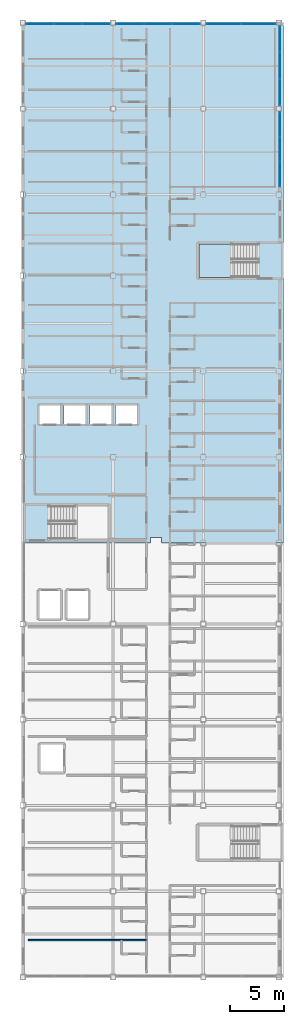
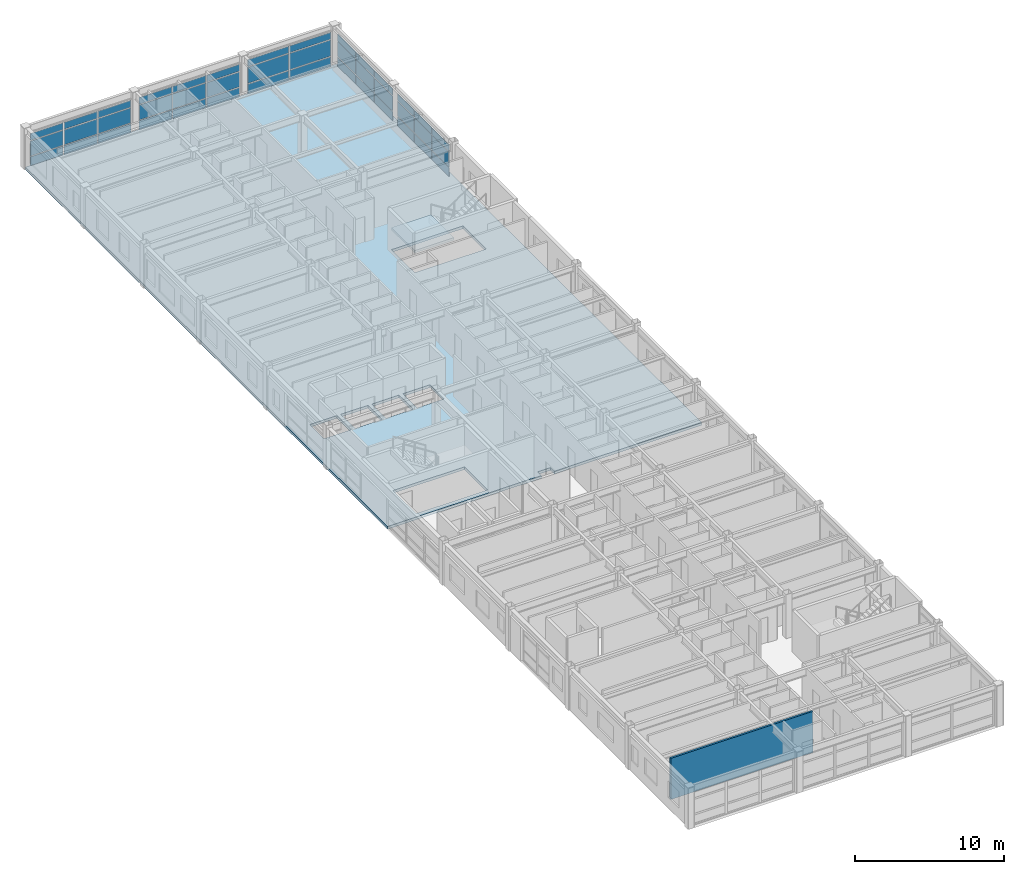
# One storey, part 22 of 33: 42 plates, 2 slabs, 1 wall, 6 elements without a shape of their own.
"""IFC4 building model written with IfcOpenShell, lengths in metres."""

from ifc_helpers import new_model, si_unit, direction, frame, frame_2d, origin, origin_2d, place, context, subcontext, project, spatial, polyline, rectangle, outline, extrude, material, layer, layer_set, type_object, element, aggregate, save


model = new_model("IFC4")

# Units and contexts
model_context = context("Model", 3, precision=1e-05, world=origin(), true_north=direction((0.0, 1.0)))
body_context = subcontext(model_context, "Body", "Model", "MODEL_VIEW")
ifc_project = project(units=[si_unit("LENGTHUNIT", "METRE"), si_unit("AREAUNIT", "SQUARE_METRE"), si_unit("VOLUMEUNIT", "CUBIC_METRE"), si_unit("PLANEANGLEUNIT", "RADIAN"), si_unit("MASSUNIT", "GRAM", prefix="KILO")], contexts=[model_context])

# Site, building, storey
site_placement = place(None, origin())
site = spatial("IfcSite", under=ifc_project, at=site_placement, CompositionType="ELEMENT")
building_placement = place(site_placement, origin())
building = spatial("IfcBuilding", under=site, at=building_placement, Name="Kazehara Bluff Congress Hotel", CompositionType="ELEMENT")
storey_placement = place(building_placement, frame((0.0, 0.0, 39.0)))
storey = spatial("IfcBuildingStorey", under=building, at=storey_placement, Name="L09", CompositionType="ELEMENT", Elevation=39.0)

# Curtain wall, plates
ifc_material_1 = material(Name="Anodised aluminium", Category="aluminium")
ifc_layer_1 = layer(ifc_material_1, 0.159912109375)
ifc_layer_set_1 = layer_set([ifc_layer_1], Name="Anodised aluminium")
curtain_wall_type_1 = type_object("IfcCurtainWallType", Name="TP-CW-194", PredefinedType="NOTDEFINED", material=ifc_layer_set_1)
curtain_wall_1_placement = place(storey_placement, origin())
curtain_wall_1 = element("IfcCurtainWall", 1, at=curtain_wall_1_placement, inside=storey, type_object=curtain_wall_type_1, Name="L09 curtain wall CW-194 CW-ENC-V5-L09-16765-8512", PredefinedType="NOTDEFINED")
ifc_material_2 = material(Name="Insulated low-E double glazing", Category="glass")
ifc_layer_2 = layer(ifc_material_2, 0.028076171875)
ifc_layer_set_2 = layer_set([ifc_layer_2], Name="Insulated low-E double glazing")
plate_type = type_object("IfcPlateType", Name="TP-CWP-01", PredefinedType="CURTAIN_PANEL", material=ifc_layer_set_2)
plate_1_placement = place(storey_placement, frame((167.64990234375, 87.458740234375, 0.06494140625), z_axis=(0.0, 0.0, 1.0), x_axis=(0.0, -1.0, 0.0)))
plate_1 = element("IfcPlate", 2, at=plate_1_placement, type_object=plate_type, Name="CW-194 panel 1.1", PredefinedType="CURTAIN_PANEL", context=body_context, shape_type="SweptSolid", body=[
    extrude(rectangle(XDim=2.25244140625, YDim=0.028076171875, at=origin_2d()), origin(), (0.0, 0.0, 1.0), 0.7275390625),
])
plate_2_placement = place(storey_placement, frame((167.64990234375, 87.458740234375, 0.857421875), z_axis=(0.0, 0.0, 1.0), x_axis=(0.0, -1.0, 0.0)))
plate_2 = element("IfcPlate", 3, at=plate_2_placement, type_object=plate_type, Name="CW-194 panel 1.2", PredefinedType="CURTAIN_PANEL", context=body_context, shape_type="SweptSolid", body=[
    extrude(rectangle(XDim=2.25244140625, YDim=0.028076171875, at=origin_2d()), origin(), (0.0, 0.0, 1.0), 1.215087890625),
])
plate_3_placement = place(storey_placement, frame((167.64990234375, 87.458740234375, 2.1376953125), z_axis=(0.0, 0.0, 1.0), x_axis=(0.0, -1.0, 0.0)))
plate_3 = element("IfcPlate", 4, at=plate_3_placement, type_object=plate_type, Name="CW-194 panel 1.3", PredefinedType="CURTAIN_PANEL", context=body_context, shape_type="SweptSolid", body=[
    extrude(rectangle(XDim=2.25244140625, YDim=0.028076171875, at=origin_2d()), origin(), (0.0, 0.0, 1.0), 0.552490234375),
])
plate_4_placement = place(storey_placement, frame((167.64990234375, 85.125, 0.06494140625), z_axis=(0.0, 0.0, 1.0), x_axis=(0.0, -1.0, 0.0)))
plate_4 = element("IfcPlate", 5, at=plate_4_placement, type_object=plate_type, Name="CW-194 panel 2.1", PredefinedType="CURTAIN_PANEL", context=body_context, shape_type="SweptSolid", body=[
    extrude(rectangle(XDim=2.284912109375, YDim=0.028076171875, at=origin_2d()), origin(), (0.0, 0.0, 1.0), 0.7275390625),
])
plate_5_placement = place(storey_placement, frame((167.64990234375, 85.125, 0.857421875), z_axis=(0.0, 0.0, 1.0), x_axis=(0.0, -1.0, 0.0)))
plate_5 = element("IfcPlate", 6, at=plate_5_placement, type_object=plate_type, Name="CW-194 panel 2.2", PredefinedType="CURTAIN_PANEL", context=body_context, shape_type="SweptSolid", body=[
    extrude(rectangle(XDim=2.284912109375, YDim=0.028076171875, at=origin_2d()), origin(), (0.0, 0.0, 1.0), 1.215087890625),
])
plate_6_placement = place(storey_placement, frame((167.64990234375, 85.125, 2.1376953125), z_axis=(0.0, 0.0, 1.0), x_axis=(0.0, -1.0, 0.0)))
plate_6 = element("IfcPlate", 7, at=plate_6_placement, type_object=plate_type, Name="CW-194 panel 2.3", PredefinedType="CURTAIN_PANEL", context=body_context, shape_type="SweptSolid", body=[
    extrude(rectangle(XDim=2.284912109375, YDim=0.028076171875, at=origin_2d()), origin(), (0.0, 0.0, 1.0), 0.552490234375),
])
plate_7_placement = place(storey_placement, frame((167.64990234375, 82.791259765625, 0.06494140625), z_axis=(0.0, 0.0, 1.0), x_axis=(0.0, -1.0, 0.0)))
plate_7 = element("IfcPlate", 8, at=plate_7_placement, type_object=plate_type, Name="CW-194 panel 3.1", PredefinedType="CURTAIN_PANEL", context=body_context, shape_type="SweptSolid", body=[
    extrude(rectangle(XDim=2.25244140625, YDim=0.028076171875, at=origin_2d()), origin(), (0.0, 0.0, 1.0), 0.7275390625),
])
plate_8_placement = place(storey_placement, frame((167.64990234375, 82.791259765625, 0.857421875), z_axis=(0.0, 0.0, 1.0), x_axis=(0.0, -1.0, 0.0)))
plate_8 = element("IfcPlate", 9, at=plate_8_placement, type_object=plate_type, Name="CW-194 panel 3.2", PredefinedType="CURTAIN_PANEL", context=body_context, shape_type="SweptSolid", body=[
    extrude(rectangle(XDim=2.25244140625, YDim=0.028076171875, at=origin_2d()), origin(), (0.0, 0.0, 1.0), 1.215087890625),
])
plate_9_placement = place(storey_placement, frame((167.64990234375, 82.791259765625, 2.1376953125), z_axis=(0.0, 0.0, 1.0), x_axis=(0.0, -1.0, 0.0)))
plate_9 = element("IfcPlate", 10, at=plate_9_placement, type_object=plate_type, Name="CW-194 panel 3.3", PredefinedType="CURTAIN_PANEL", context=body_context, shape_type="SweptSolid", body=[
    extrude(rectangle(XDim=2.25244140625, YDim=0.028076171875, at=origin_2d()), origin(), (0.0, 0.0, 1.0), 0.552490234375),
])
aggregate(curtain_wall_1, [plate_1, plate_2, plate_3, plate_4, plate_5, plate_6, plate_7, plate_8, plate_9])

ifc_material_3 = material(Name="Anodised aluminium", Category="aluminium")
ifc_layer_3 = layer(ifc_material_3, 0.159912109375)
ifc_layer_set_3 = layer_set([ifc_layer_3], Name="Anodised aluminium")
curtain_wall_type_2 = type_object("IfcCurtainWallType", Name="TP-CW-195", PredefinedType="NOTDEFINED", material=ifc_layer_set_3)
curtain_wall_2_placement = place(storey_placement, origin())
curtain_wall_2 = element("IfcCurtainWall", 11, at=curtain_wall_2_placement, inside=storey, type_object=curtain_wall_type_2, Name="L09 curtain wall CW-195 CW-ENC-V5-L09-16765-9290", PredefinedType="NOTDEFINED")
plate_10_placement = place(storey_placement, frame((167.64990234375, 95.3837890625, 0.06494140625), z_axis=(0.0, 0.0, 1.0), x_axis=(0.0, -1.0, 0.0)))
plate_10 = element("IfcPlate", 12, at=plate_10_placement, type_object=plate_type, Name="CW-195 panel 1.1", PredefinedType="CURTAIN_PANEL", context=body_context, shape_type="SweptSolid", body=[
    extrude(rectangle(XDim=2.402587890625, YDim=0.028076171875, at=origin_2d()), origin(), (0.0, 0.0, 1.0), 0.7275390625),
])
plate_11_placement = place(storey_placement, frame((167.64990234375, 95.3837890625, 0.857421875), z_axis=(0.0, 0.0, 1.0), x_axis=(0.0, -1.0, 0.0)))
plate_11 = element("IfcPlate", 13, at=plate_11_placement, type_object=plate_type, Name="CW-195 panel 1.2", PredefinedType="CURTAIN_PANEL", context=body_context, shape_type="SweptSolid", body=[
    extrude(rectangle(XDim=2.402587890625, YDim=0.028076171875, at=origin_2d()), origin(), (0.0, 0.0, 1.0), 1.215087890625),
])
plate_12_placement = place(storey_placement, frame((167.64990234375, 95.3837890625, 2.1376953125), z_axis=(0.0, 0.0, 1.0), x_axis=(0.0, -1.0, 0.0)))
plate_12 = element("IfcPlate", 14, at=plate_12_placement, type_object=plate_type, Name="CW-195 panel 1.3", PredefinedType="CURTAIN_PANEL", context=body_context, shape_type="SweptSolid", body=[
    extrude(rectangle(XDim=2.402587890625, YDim=0.028076171875, at=origin_2d()), origin(), (0.0, 0.0, 1.0), 0.552490234375),
])
plate_13_placement = place(storey_placement, frame((167.64990234375, 92.89990234375, 0.06494140625), z_axis=(0.0, 0.0, 1.0), x_axis=(0.0, -1.0, 0.0)))
plate_13 = element("IfcPlate", 15, at=plate_13_placement, type_object=plate_type, Name="CW-195 panel 2.1", PredefinedType="CURTAIN_PANEL", context=body_context, shape_type="SweptSolid", body=[
    extrude(rectangle(XDim=2.43505859375, YDim=0.028076171875, at=origin_2d()), origin(), (0.0, 0.0, 1.0), 0.7275390625),
])
plate_14_placement = place(storey_placement, frame((167.64990234375, 92.89990234375, 0.857421875), z_axis=(0.0, 0.0, 1.0), x_axis=(0.0, -1.0, 0.0)))
plate_14 = element("IfcPlate", 16, at=plate_14_placement, type_object=plate_type, Name="CW-195 panel 2.2", PredefinedType="CURTAIN_PANEL", context=body_context, shape_type="SweptSolid", body=[
    extrude(rectangle(XDim=2.43505859375, YDim=0.028076171875, at=origin_2d()), origin(), (0.0, 0.0, 1.0), 1.215087890625),
])
plate_15_placement = place(storey_placement, frame((167.64990234375, 92.89990234375, 2.1376953125), z_axis=(0.0, 0.0, 1.0), x_axis=(0.0, -1.0, 0.0)))
plate_15 = element("IfcPlate", 17, at=plate_15_placement, type_object=plate_type, Name="CW-195 panel 2.3", PredefinedType="CURTAIN_PANEL", context=body_context, shape_type="SweptSolid", body=[
    extrude(rectangle(XDim=2.43505859375, YDim=0.028076171875, at=origin_2d()), origin(), (0.0, 0.0, 1.0), 0.552490234375),
])
plate_16_placement = place(storey_placement, frame((167.64990234375, 90.416259765625, 0.06494140625), z_axis=(0.0, 0.0, 1.0), x_axis=(0.0, -1.0, 0.0)))
plate_16 = element("IfcPlate", 18, at=plate_16_placement, type_object=plate_type, Name="CW-195 panel 3.1", PredefinedType="CURTAIN_PANEL", context=body_context, shape_type="SweptSolid", body=[
    extrude(rectangle(XDim=2.402587890625, YDim=0.028076171875, at=origin_2d()), origin(), (0.0, 0.0, 1.0), 0.7275390625),
])
plate_17_placement = place(storey_placement, frame((167.64990234375, 90.416259765625, 0.857421875), z_axis=(0.0, 0.0, 1.0), x_axis=(0.0, -1.0, 0.0)))
plate_17 = element("IfcPlate", 19, at=plate_17_placement, type_object=plate_type, Name="CW-195 panel 3.2", PredefinedType="CURTAIN_PANEL", context=body_context, shape_type="SweptSolid", body=[
    extrude(rectangle(XDim=2.402587890625, YDim=0.028076171875, at=origin_2d()), origin(), (0.0, 0.0, 1.0), 1.215087890625),
])
plate_18_placement = place(storey_placement, frame((167.64990234375, 90.416259765625, 2.1376953125), z_axis=(0.0, 0.0, 1.0), x_axis=(0.0, -1.0, 0.0)))
plate_18 = element("IfcPlate", 20, at=plate_18_placement, type_object=plate_type, Name="CW-195 panel 3.3", PredefinedType="CURTAIN_PANEL", context=body_context, shape_type="SweptSolid", body=[
    extrude(rectangle(XDim=2.402587890625, YDim=0.028076171875, at=origin_2d()), origin(), (0.0, 0.0, 1.0), 0.552490234375),
])
aggregate(curtain_wall_2, [plate_10, plate_11, plate_12, plate_13, plate_14, plate_15, plate_16, plate_17, plate_18])

ifc_material_4 = material(Name="Anodised aluminium", Category="aluminium")
ifc_layer_4 = layer(ifc_material_4, 0.159912109375)
ifc_layer_set_4 = layer_set([ifc_layer_4], Name="Anodised aluminium")
curtain_wall_type_3 = type_object("IfcCurtainWallType", Name="TP-CW-185", PredefinedType="NOTDEFINED", material=ifc_layer_set_4)
curtain_wall_3_placement = place(storey_placement, origin())
curtain_wall_3 = element("IfcCurtainWall", 21, at=curtain_wall_3_placement, inside=storey, type_object=curtain_wall_type_3, Name="L09 curtain wall CW-185 CW-ENC-V5-L09-14790-9680", PredefinedType="NOTDEFINED")
plate_19_placement = place(storey_placement, frame((145.282958984375, 96.800048828125, 0.06494140625), z_axis=(0.0, 0.0, 1.0), x_axis=(1.0, 0.0, 0.0)))
plate_19 = element("IfcPlate", 22, at=plate_19_placement, type_object=plate_type, Name="CW-185 panel 1.1", PredefinedType="CURTAIN_PANEL", context=body_context, shape_type="SweptSolid", body=[
    extrude(rectangle(XDim=2.535888671875, YDim=0.028076171875, at=origin_2d()), origin(), (0.0, 0.0, 1.0), 0.7275390625),
])
plate_20_placement = place(storey_placement, frame((145.282958984375, 96.800048828125, 0.857421875), z_axis=(0.0, 0.0, 1.0), x_axis=(1.0, 0.0, 0.0)))
plate_20 = element("IfcPlate", 23, at=plate_20_placement, type_object=plate_type, Name="CW-185 panel 1.2", PredefinedType="CURTAIN_PANEL", context=body_context, shape_type="SweptSolid", body=[
    extrude(rectangle(XDim=2.535888671875, YDim=0.028076171875, at=origin_2d()), origin(), (0.0, 0.0, 1.0), 1.215087890625),
])
plate_21_placement = place(storey_placement, frame((145.282958984375, 96.800048828125, 2.1376953125), z_axis=(0.0, 0.0, 1.0), x_axis=(1.0, 0.0, 0.0)))
plate_21 = element("IfcPlate", 24, at=plate_21_placement, type_object=plate_type, Name="CW-185 panel 1.3", PredefinedType="CURTAIN_PANEL", context=body_context, shape_type="SweptSolid", body=[
    extrude(rectangle(XDim=2.535888671875, YDim=0.028076171875, at=origin_2d()), origin(), (0.0, 0.0, 1.0), 0.552490234375),
])
plate_22_placement = place(storey_placement, frame((147.89990234375, 96.800048828125, 0.06494140625), z_axis=(0.0, 0.0, 1.0), x_axis=(1.0, 0.0, 0.0)))
plate_22 = element("IfcPlate", 25, at=plate_22_placement, type_object=plate_type, Name="CW-185 panel 2.1", PredefinedType="CURTAIN_PANEL", context=body_context, shape_type="SweptSolid", body=[
    extrude(rectangle(XDim=2.568359375, YDim=0.028076171875, at=origin_2d()), origin(), (0.0, 0.0, 1.0), 0.7275390625),
])
plate_23_placement = place(storey_placement, frame((147.89990234375, 96.800048828125, 0.857421875), z_axis=(0.0, 0.0, 1.0), x_axis=(1.0, 0.0, 0.0)))
plate_23 = element("IfcPlate", 26, at=plate_23_placement, type_object=plate_type, Name="CW-185 panel 2.2", PredefinedType="CURTAIN_PANEL", context=body_context, shape_type="SweptSolid", body=[
    extrude(rectangle(XDim=2.568359375, YDim=0.028076171875, at=origin_2d()), origin(), (0.0, 0.0, 1.0), 1.215087890625),
])
plate_24_placement = place(storey_placement, frame((147.89990234375, 96.800048828125, 2.1376953125), z_axis=(0.0, 0.0, 1.0), x_axis=(1.0, 0.0, 0.0)))
plate_24 = element("IfcPlate", 27, at=plate_24_placement, type_object=plate_type, Name="CW-185 panel 2.3", PredefinedType="CURTAIN_PANEL", context=body_context, shape_type="SweptSolid", body=[
    extrude(rectangle(XDim=2.568359375, YDim=0.028076171875, at=origin_2d()), origin(), (0.0, 0.0, 1.0), 0.552490234375),
])
plate_25_placement = place(storey_placement, frame((150.51708984375, 96.800048828125, 0.06494140625), z_axis=(0.0, 0.0, 1.0), x_axis=(1.0, 0.0, 0.0)))
plate_25 = element("IfcPlate", 28, at=plate_25_placement, type_object=plate_type, Name="CW-185 panel 3.1", PredefinedType="CURTAIN_PANEL", context=body_context, shape_type="SweptSolid", body=[
    extrude(rectangle(XDim=2.535888671875, YDim=0.028076171875, at=origin_2d()), origin(), (0.0, 0.0, 1.0), 0.7275390625),
])
plate_26_placement = place(storey_placement, frame((150.51708984375, 96.800048828125, 0.857421875), z_axis=(0.0, 0.0, 1.0), x_axis=(1.0, 0.0, 0.0)))
plate_26 = element("IfcPlate", 29, at=plate_26_placement, type_object=plate_type, Name="CW-185 panel 3.2", PredefinedType="CURTAIN_PANEL", context=body_context, shape_type="SweptSolid", body=[
    extrude(rectangle(XDim=2.535888671875, YDim=0.028076171875, at=origin_2d()), origin(), (0.0, 0.0, 1.0), 1.215087890625),
])
plate_27_placement = place(storey_placement, frame((150.51708984375, 96.800048828125, 2.1376953125), z_axis=(0.0, 0.0, 1.0), x_axis=(1.0, 0.0, 0.0)))
plate_27 = element("IfcPlate", 30, at=plate_27_placement, type_object=plate_type, Name="CW-185 panel 3.3", PredefinedType="CURTAIN_PANEL", context=body_context, shape_type="SweptSolid", body=[
    extrude(rectangle(XDim=2.535888671875, YDim=0.028076171875, at=origin_2d()), origin(), (0.0, 0.0, 1.0), 0.552490234375),
])
aggregate(curtain_wall_3, [plate_19, plate_20, plate_21, plate_22, plate_23, plate_24, plate_25, plate_26, plate_27])

curtain_wall_4_placement = place(storey_placement, origin())
curtain_wall_4 = element("IfcCurtainWall", 31, at=curtain_wall_4_placement, inside=storey, type_object=curtain_wall_type_3, Name="L09 curtain wall CW-185 CW-ENC-V5-L09-15630-9680", PredefinedType="NOTDEFINED")
plate_28_placement = place(storey_placement, frame((153.682861328125, 96.800048828125, 0.06494140625), z_axis=(0.0, 0.0, 1.0), x_axis=(1.0, 0.0, 0.0)))
plate_28 = element("IfcPlate", 32, at=plate_28_placement, type_object=plate_type, Name="CW-185 panel 1.1", PredefinedType="CURTAIN_PANEL", context=body_context, shape_type="SweptSolid", body=[
    extrude(rectangle(XDim=2.535888671875, YDim=0.028076171875, at=origin_2d()), origin(), (0.0, 0.0, 1.0), 0.7275390625),
])
plate_29_placement = place(storey_placement, frame((153.682861328125, 96.800048828125, 0.857421875), z_axis=(0.0, 0.0, 1.0), x_axis=(1.0, 0.0, 0.0)))
plate_29 = element("IfcPlate", 33, at=plate_29_placement, type_object=plate_type, Name="CW-185 panel 1.2", PredefinedType="CURTAIN_PANEL", context=body_context, shape_type="SweptSolid", body=[
    extrude(rectangle(XDim=2.535888671875, YDim=0.028076171875, at=origin_2d()), origin(), (0.0, 0.0, 1.0), 1.215087890625),
])
plate_30_placement = place(storey_placement, frame((153.682861328125, 96.800048828125, 2.1376953125), z_axis=(0.0, 0.0, 1.0), x_axis=(1.0, 0.0, 0.0)))
plate_30 = element("IfcPlate", 34, at=plate_30_placement, type_object=plate_type, Name="CW-185 panel 1.3", PredefinedType="CURTAIN_PANEL", context=body_context, shape_type="SweptSolid", body=[
    extrude(rectangle(XDim=2.535888671875, YDim=0.028076171875, at=origin_2d()), origin(), (0.0, 0.0, 1.0), 0.552490234375),
])
plate_31_placement = place(storey_placement, frame((156.300048828125, 96.800048828125, 0.06494140625), z_axis=(0.0, 0.0, 1.0), x_axis=(1.0, 0.0, 0.0)))
plate_31 = element("IfcPlate", 35, at=plate_31_placement, type_object=plate_type, Name="CW-185 panel 2.1", PredefinedType="CURTAIN_PANEL", context=body_context, shape_type="SweptSolid", body=[
    extrude(rectangle(XDim=2.568359375, YDim=0.028076171875, at=origin_2d()), origin(), (0.0, 0.0, 1.0), 0.7275390625),
])
plate_32_placement = place(storey_placement, frame((156.300048828125, 96.800048828125, 0.857421875), z_axis=(0.0, 0.0, 1.0), x_axis=(1.0, 0.0, 0.0)))
plate_32 = element("IfcPlate", 36, at=plate_32_placement, type_object=plate_type, Name="CW-185 panel 2.2", PredefinedType="CURTAIN_PANEL", context=body_context, shape_type="SweptSolid", body=[
    extrude(rectangle(XDim=2.568359375, YDim=0.028076171875, at=origin_2d()), origin(), (0.0, 0.0, 1.0), 1.215087890625),
])
plate_33_placement = place(storey_placement, frame((156.300048828125, 96.800048828125, 2.1376953125), z_axis=(0.0, 0.0, 1.0), x_axis=(1.0, 0.0, 0.0)))
plate_33 = element("IfcPlate", 37, at=plate_33_placement, type_object=plate_type, Name="CW-185 panel 2.3", PredefinedType="CURTAIN_PANEL", context=body_context, shape_type="SweptSolid", body=[
    extrude(rectangle(XDim=2.568359375, YDim=0.028076171875, at=origin_2d()), origin(), (0.0, 0.0, 1.0), 0.552490234375),
])
plate_34_placement = place(storey_placement, frame((158.9169921875, 96.800048828125, 0.06494140625), z_axis=(0.0, 0.0, 1.0), x_axis=(1.0, 0.0, 0.0)))
plate_34 = element("IfcPlate", 38, at=plate_34_placement, type_object=plate_type, Name="CW-185 panel 3.1", PredefinedType="CURTAIN_PANEL", context=body_context, shape_type="SweptSolid", body=[
    extrude(rectangle(XDim=2.535888671875, YDim=0.028076171875, at=origin_2d()), origin(), (0.0, 0.0, 1.0), 0.7275390625),
])
plate_35_placement = place(storey_placement, frame((158.9169921875, 96.800048828125, 0.857421875), z_axis=(0.0, 0.0, 1.0), x_axis=(1.0, 0.0, 0.0)))
plate_35 = element("IfcPlate", 39, at=plate_35_placement, type_object=plate_type, Name="CW-185 panel 3.2", PredefinedType="CURTAIN_PANEL", context=body_context, shape_type="SweptSolid", body=[
    extrude(rectangle(XDim=2.535888671875, YDim=0.028076171875, at=origin_2d()), origin(), (0.0, 0.0, 1.0), 1.215087890625),
])
plate_36_placement = place(storey_placement, frame((158.9169921875, 96.800048828125, 2.1376953125), z_axis=(0.0, 0.0, 1.0), x_axis=(1.0, 0.0, 0.0)))
plate_36 = element("IfcPlate", 40, at=plate_36_placement, type_object=plate_type, Name="CW-185 panel 3.3", PredefinedType="CURTAIN_PANEL", context=body_context, shape_type="SweptSolid", body=[
    extrude(rectangle(XDim=2.535888671875, YDim=0.028076171875, at=origin_2d()), origin(), (0.0, 0.0, 1.0), 0.552490234375),
])
aggregate(curtain_wall_4, [plate_28, plate_29, plate_30, plate_31, plate_32, plate_33, plate_34, plate_35, plate_36])

ifc_material_5 = material(Name="Anodised aluminium", Category="aluminium")
ifc_layer_5 = layer(ifc_material_5, 0.159912109375)
ifc_layer_set_5 = layer_set([ifc_layer_5], Name="Anodised aluminium")
curtain_wall_type_4 = type_object("IfcCurtainWallType", Name="TP-CW-193", PredefinedType="NOTDEFINED", material=ifc_layer_set_5)
curtain_wall_5_placement = place(storey_placement, origin())
curtain_wall_5 = element("IfcCurtainWall", 41, at=curtain_wall_5_placement, inside=storey, type_object=curtain_wall_type_4, Name="L09 curtain wall CW-193 CW-ENC-V5-L09-16402-9680", PredefinedType="NOTDEFINED")
plate_37_placement = place(storey_placement, frame((162.40380859375, 96.800048828125, 0.06494140625), z_axis=(0.0, 0.0, 1.0), x_axis=(1.0, 0.0, 0.0)))
plate_37 = element("IfcPlate", 42, at=plate_37_placement, type_object=plate_type, Name="CW-193 panel 1.1", PredefinedType="CURTAIN_PANEL", context=body_context, shape_type="SweptSolid", body=[
    extrude(rectangle(XDim=3.177490234375, YDim=0.028076171875, at=origin_2d()), origin(), (0.0, 0.0, 1.0), 0.7724609375),
])
plate_38_placement = place(storey_placement, frame((162.40380859375, 96.800048828125, 0.90234375), z_axis=(0.0, 0.0, 1.0), x_axis=(1.0, 0.0, 0.0)))
plate_38 = element("IfcPlate", 43, at=plate_38_placement, type_object=plate_type, Name="CW-193 panel 1.2", PredefinedType="CURTAIN_PANEL", context=body_context, shape_type="SweptSolid", body=[
    extrude(rectangle(XDim=3.177490234375, YDim=0.028076171875, at=origin_2d()), origin(), (0.0, 0.0, 1.0), 1.320068359375),
])
plate_39_placement = place(storey_placement, frame((162.40380859375, 96.800048828125, 2.28759765625), z_axis=(0.0, 0.0, 1.0), x_axis=(1.0, 0.0, 0.0)))
plate_39 = element("IfcPlate", 44, at=plate_39_placement, type_object=plate_type, Name="CW-193 panel 1.3", PredefinedType="CURTAIN_PANEL", context=body_context, shape_type="SweptSolid", body=[
    extrude(rectangle(XDim=3.177490234375, YDim=0.028076171875, at=origin_2d()), origin(), (0.0, 0.0, 1.0), 0.552490234375),
])
plate_40_placement = place(storey_placement, frame((165.646240234375, 96.800048828125, 0.06494140625), z_axis=(0.0, 0.0, 1.0), x_axis=(1.0, 0.0, 0.0)))
plate_40 = element("IfcPlate", 45, at=plate_40_placement, type_object=plate_type, Name="CW-193 panel 2.1", PredefinedType="CURTAIN_PANEL", context=body_context, shape_type="SweptSolid", body=[
    extrude(rectangle(XDim=3.177490234375, YDim=0.028076171875, at=origin_2d()), origin(), (0.0, 0.0, 1.0), 0.7724609375),
])
plate_41_placement = place(storey_placement, frame((165.646240234375, 96.800048828125, 0.90234375), z_axis=(0.0, 0.0, 1.0), x_axis=(1.0, 0.0, 0.0)))
plate_41 = element("IfcPlate", 46, at=plate_41_placement, type_object=plate_type, Name="CW-193 panel 2.2", PredefinedType="CURTAIN_PANEL", context=body_context, shape_type="SweptSolid", body=[
    extrude(rectangle(XDim=3.177490234375, YDim=0.028076171875, at=origin_2d()), origin(), (0.0, 0.0, 1.0), 1.320068359375),
])
plate_42_placement = place(storey_placement, frame((165.646240234375, 96.800048828125, 2.28759765625), z_axis=(0.0, 0.0, 1.0), x_axis=(1.0, 0.0, 0.0)))
plate_42 = element("IfcPlate", 47, at=plate_42_placement, type_object=plate_type, Name="CW-193 panel 2.3", PredefinedType="CURTAIN_PANEL", context=body_context, shape_type="SweptSolid", body=[
    extrude(rectangle(XDim=3.177490234375, YDim=0.028076171875, at=origin_2d()), origin(), (0.0, 0.0, 1.0), 0.552490234375),
])
aggregate(curtain_wall_5, [plate_37, plate_38, plate_39, plate_40, plate_41, plate_42])

# Slab
ifc_material_6 = material(Name="Concrete C36/45", Category="concrete")
ifc_layer_6 = layer(ifc_material_6, 0.219970703125)
ifc_layer_set_6 = layer_set([ifc_layer_6], Name="Concrete C36/45")
slab_type_1 = type_object("IfcSlabType", Name="TP-SL-220", PredefinedType="FLOOR", material=ifc_layer_set_6)
slab_1_placement = place(storey_placement, frame((0.0, 0.0, -0.219970703125)))
element("IfcSlab", 48, at=slab_1_placement, inside=storey, type_object=slab_type_1, Name="L09 V5 composite floor slab N", PredefinedType="FLOOR", context=body_context, shape_type="SweptSolid", body=[
    extrude(outline(polyline([(168.0, 96.89990234375), (168.0, 48.449951171875), (156.60009765625, 48.449951171875), (156.60009765625, 48.949951171875), (155.60009765625, 48.949951171875), (155.60009765625, 48.449951171875), (143.699951171875, 48.449951171875), (143.699951171875, 96.89990234375), (168.0, 96.89990234375)]), holes=[polyline([(146.125, 48.800048828125), (151.64990234375, 48.800048828125), (151.64990234375, 51.89990234375), (146.125, 51.89990234375), (146.125, 48.800048828125)]), polyline([(165.625, 76.300048828125), (160.10009765625, 76.300048828125), (160.10009765625, 73.199951171875), (165.625, 73.199951171875), (165.625, 76.300048828125)]), polyline([(145.14990234375, 59.449951171875), (147.25, 59.449951171875), (147.25, 61.35009765625), (145.14990234375, 61.35009765625), (145.14990234375, 59.449951171875)]), polyline([(147.550048828125, 59.449951171875), (149.64990234375, 59.449951171875), (149.64990234375, 61.35009765625), (147.550048828125, 61.35009765625), (147.550048828125, 59.449951171875)]), polyline([(149.949951171875, 59.449951171875), (152.050048828125, 59.449951171875), (152.050048828125, 61.35009765625), (149.949951171875, 61.35009765625), (149.949951171875, 59.449951171875)]), polyline([(152.35009765625, 59.449951171875), (154.449951171875, 59.449951171875), (154.449951171875, 61.35009765625), (152.35009765625, 61.35009765625), (152.35009765625, 59.449951171875)])]), origin(), (0.0, 0.0, 1.0), 0.219970703125),
])

# Stair, slab
ifc_material_7 = material(Name="Concrete C36/45", Category="concrete")
stair_type = type_object("IfcStairType", Name="TP-ST-T03", PredefinedType="HALF_TURN_STAIR", material=ifc_material_7)
stair_placement = place(storey_placement, origin())
stair = element("IfcStair", 49, at=stair_placement, inside=storey, type_object=stair_type, Name="L09 Escape stair ST-12", PredefinedType="HALF_TURN_STAIR")
ifc_material_8 = material(Name="Concrete C36/45", Category="concrete")
ifc_layer_7 = layer(ifc_material_8, 0.199951171875)
ifc_layer_set_7 = layer_set([ifc_layer_7], Name="Concrete C36/45")
slab_type_2 = type_object("IfcSlabType", Name="TP-SLD-200", PredefinedType="LANDING", material=ifc_layer_set_7)
slab_2_placement = place(storey_placement, frame((0.0, 0.0, 1.60009765625)))
slab_2 = element("IfcSlab", 50, at=slab_2_placement, type_object=slab_type_2, Name="ST-12 landing 1", PredefinedType="LANDING", context=body_context, shape_type="SweptSolid", body=[
    extrude(outline(polyline([(163.1298828125, 76.300048828125), (160.10009765625, 76.300048828125), (160.10009765625, 73.199951171875), (163.1298828125, 73.199951171875), (163.1298828125, 76.300048828125)])), origin(), (0.0, 0.0, 1.0), 0.199951171875),
])
aggregate(stair, [slab_2])

# Wall
ifc_material_9 = material(Name="Fire-rated gypsum board stud partition")
ifc_layer_8 = layer(ifc_material_9, 0.14990234375)
ifc_layer_set_8 = layer_set([ifc_layer_8], Name="Fire-rated gypsum board stud partition")
wall_type = type_object("IfcWallType", Name="TP-PT-150", PredefinedType="PARTITIONING", material=ifc_layer_set_8)
wall_placement = place(storey_placement, frame((144.199951171875, 11.43994140625, 0.0), z_axis=(0.0, 0.0, 1.0), x_axis=(1.0, 0.0, 0.0)))
element("IfcWall", 51, at=wall_placement, inside=storey, type_object=wall_type, Name="L09 partition PT-150 1169", PredefinedType="PARTITIONING", context=body_context, shape_type="SweptSolid", body=[
    extrude(rectangle(XDim=11.0, YDim=0.14990234375, at=frame_2d((5.5, 0.0))), origin(), (0.0, 0.0, 1.0), 3.364990234375),
])

save(model, "model.ifc")
